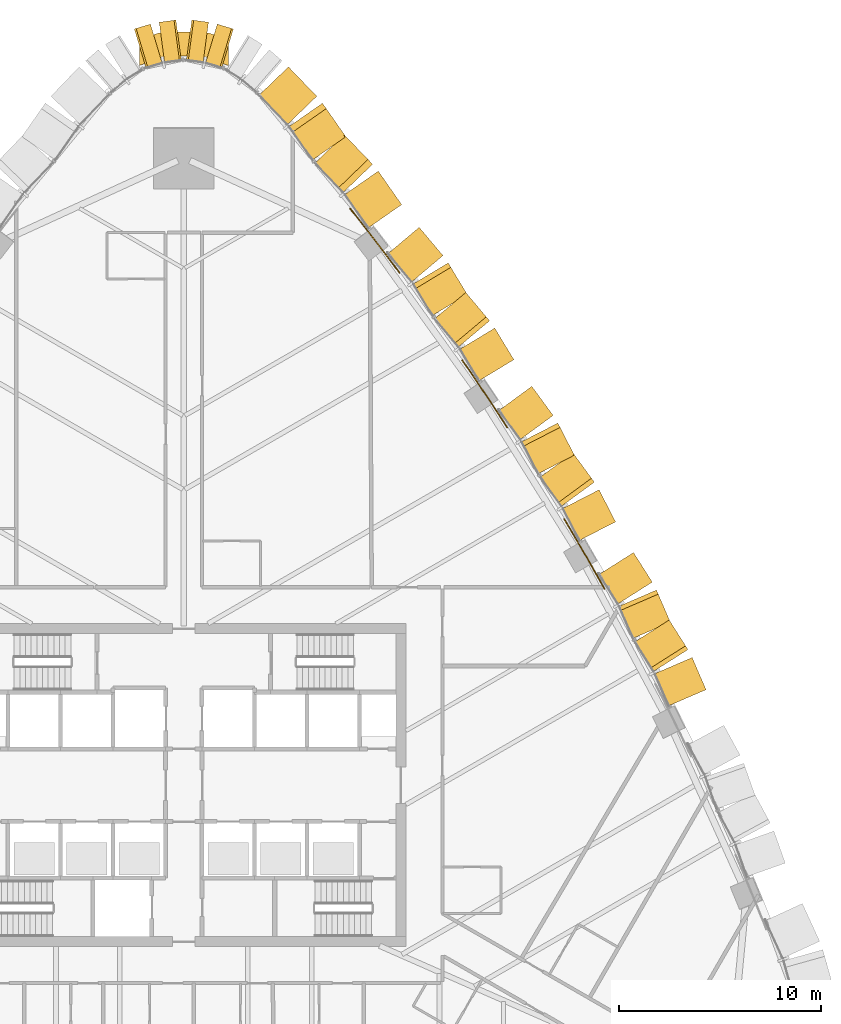
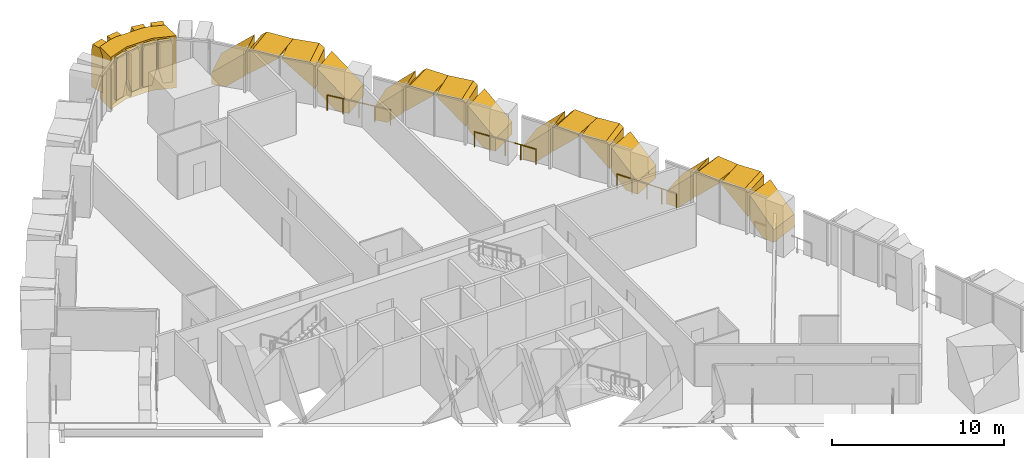
# One storey, part 23 of 24: 21 coverings, 3 railings.
"""IFC4 building model written with IfcOpenShell, lengths in metres."""

from ifc_helpers import new_model, si_unit, direction, frame, origin, origin_2d, place, context, subcontext, project, spatial, polyline, circle, outline, extrude, material, layer, layer_set, type_object, element, save


model = new_model("IFC4")

# Units and contexts
model_context = context("Model", 3, precision=1e-05, world=origin(), true_north=direction((0.0, 1.0)))
body_context = subcontext(model_context, "Body", "Model", "MODEL_VIEW")
ifc_project = project(units=[si_unit("LENGTHUNIT", "METRE"), si_unit("AREAUNIT", "SQUARE_METRE"), si_unit("VOLUMEUNIT", "CUBIC_METRE"), si_unit("PLANEANGLEUNIT", "RADIAN"), si_unit("MASSUNIT", "GRAM", prefix="KILO")], contexts=[model_context])

# Site, building, storey
site_placement = place(None, origin())
site = spatial("IfcSite", under=ifc_project, at=site_placement, CompositionType="ELEMENT")
building_placement = place(site_placement, origin())
building = spatial("IfcBuilding", under=site, at=building_placement, Name="Sierra Prisma Convention Tower", CompositionType="ELEMENT")
storey_placement = place(building_placement, frame((0.0, 0.0, 59.10009765625)))
storey = spatial("IfcBuildingStorey", under=building, at=storey_placement, Name="L10", CompositionType="ELEMENT", Elevation=59.10009765625)

# Coverings
ifc_material_1 = material(Name="Aluminium composite bronze anodised", Category="aluminium")
ifc_layer_1 = layer(ifc_material_1, 1.199951171875)
ifc_layer_set_1 = layer_set([ifc_layer_1], Name="Bronze corner pier")
covering_type_1 = type_object("IfcCoveringType", Name="Bronze corner pier", PredefinedType="CLADDING", material=ifc_layer_set_1)
covering_1_placement = place(storey_placement, frame((0.0, 0.0, -0.60009765625)))
element("IfcCovering", 1, at=covering_1_placement, inside=storey, type_object=covering_type_1, Name="Corner pier N L10.1", PredefinedType="CLADDING", context=body_context, shape_type="SweptSolid", body=[
    extrude(outline(polyline([(-0.864501953125, 37.3046875), (0.864501953125, 37.3046875), (1.264404296875, 37.236083984375), (2.199951171875, 36.9052734375), (2.199951171875, 35.632568359375), (0.864501953125, 36.1044921875), (-0.864501953125, 36.1044921875), (-2.199951171875, 35.632568359375), (-2.199951171875, 36.9052734375), (-1.264404296875, 37.236083984375), (-0.864501953125, 37.3046875)])), origin(), (0.0, 0.0, 1.0), 3.699951171875),
])
ifc_material_2 = material(Name="Aluminium 6063-T6 bronze anodised", Category="aluminium")
ifc_layer_2 = layer(ifc_material_2, 2.0)
ifc_layer_set_2 = layer_set([ifc_layer_2], Name="Bronze crystal chevron frame")
covering_type_2 = type_object("IfcCoveringType", Name="Bronze crystal chevron frame", PredefinedType="CLADDING", material=ifc_layer_set_2)
covering_2_placement = place(storey_placement, frame((25.857177734375, 4.726806640625, 0.0), z_axis=(0.917989113023, 0.396605582743, -1.0431043e-05), x_axis=(-0.396605582765, 0.917989113073, -3.57e-10)))
element("IfcCovering", 2, at=covering_2_placement, inside=storey, type_object=covering_type_2, Name="CW-2 chevron frame NE3.1.1", PredefinedType="CLADDING", context=body_context, shape_type="SweptSolid", body=[
    extrude(outline(polyline([(0.0, 0.0), (0.7909516103834568, 4.235164736271502e-22), (1.7353296140717749, 0.93896484442131), (1.7353296134668974, 2.6313476568292384), (-3.2372988349325384e-10, 0.9057617187007235), (0.0, 0.0)])), origin(), (0.0, 0.0, -1.0), 2.0),
])
covering_3_placement = place(storey_placement, frame((24.961669921875, 6.711669921875, 2.7607421875), z_axis=(0.844658493664, 0.535305544631, -5.4478365e-05), x_axis=(-4.6015614e-05, -2.9162571e-05, -0.999999998516)))
element("IfcCovering", 3, at=covering_3_placement, inside=storey, type_object=covering_type_2, Name="CW-2 chevron frame NE3.1.2", PredefinedType="CLADDING", context=body_context, shape_type="SweptSolid", body=[
    extrude(outline(polyline([(0.0, 0.0), (1.6923828099885951, 0.0), (-0.033203125601403954, 1.7353923837475977), (-0.2192382815753378, 1.7353923837475977), (-0.21923828715028, 0.22046557862860228), (0.0, 0.0)])), origin(), (0.0, 0.0, -1.0), 2.0),
])
covering_4_placement = place(storey_placement, frame((24.090576171875, 8.067626953125, 2.97998046875), z_axis=(0.917970432278, 0.39664881807, -2.4231075e-05), x_axis=(-2.224341e-05, -9.611227e-06, -0.999999999706)))
element("IfcCovering", 4, at=covering_4_placement, inside=storey, type_object=covering_type_2, Name="CW-2 chevron frame NE3.2.1", PredefinedType="CLADDING", context=body_context, shape_type="SweptSolid", body=[
    extrude(outline(polyline([(0.0, 0.0), (0.1860351561953852, 0.0), (1.9116210933175253, 1.735105498146229), (0.21923828131436235, 1.735105498146229), (-1.102903683170955e-09, 1.514871173180406), (0.0, 0.0)])), origin(), (0.0, 0.0, -1.0), 2.0),
])
covering_5_placement = place(storey_placement, frame((22.26611328125, 11.51806640625, 0.0), z_axis=(0.844626062388, 0.535356717082, -1.4507213e-05), x_axis=(1.225317e-05, 7.766534e-06, 0.999999999895)))
element("IfcCovering", 5, at=covering_5_placement, inside=storey, type_object=covering_type_2, Name="CW-2 chevron frame NE3.2.2", PredefinedType="CLADDING", context=body_context, shape_type="SweptSolid", body=[
    extrude(outline(polyline([(0.0, 0.0), (0.905761718654687, 7.672100181429332e-22), (2.631347656170718, 1.7351861723044162), (0.938964843848807, 1.7351861723044162), (-5.468034687208071e-10, 0.7908216441538272), (0.0, 0.0)])), origin(), (0.0, 0.0, -1.0), 2.0),
])
covering_6_placement = place(storey_placement, frame((21.37744140625, 13.037841796875, 0.0), z_axis=(0.889268368021, 0.457385798018, 3.7522266e-05), x_axis=(-0.45738579834, 0.889268368647, -4.493e-09)))
element("IfcCovering", 6, at=covering_6_placement, inside=storey, type_object=covering_type_2, Name="CW-2 chevron frame NE4.1.1", PredefinedType="CLADDING", context=body_context, shape_type="SweptSolid", body=[
    extrude(outline(polyline([(0.0, 0.0), (0.8029829636223448, -1.6940658945086007e-21), (1.7870057243275985, 0.9521484461992771), (1.7870057168257498, 2.6218261793988904), (-4.011443317163431e-09, 0.8928222649964886), (0.0, 0.0)])), origin(), (0.0, 0.0, -1.0), 2.0),
])
covering_7_placement = place(storey_placement, frame((20.326904296875, 15.004150390625, 2.747802734375), z_axis=(0.806753687222, 0.590887880941, 1.7623846e-05), x_axis=(1.4218103e-05, 1.0413717e-05, -0.999999999845)))
element("IfcCovering", 7, at=covering_7_placement, inside=storey, type_object=covering_type_2, Name="CW-2 chevron frame NE4.1.2", PredefinedType="CLADDING", context=body_context, shape_type="SweptSolid", body=[
    extrude(outline(polyline([(0.0, 0.0), (1.6699218747406612, -2.8289576949313546e-21), (-0.05908203131293895, 1.7869801292121683), (-0.23217773441105719, 1.7869801292121683), (-0.23217773498349834, 0.24000525706702053), (0.0, 0.0)])), origin(), (0.0, 0.0, -1.0), 2.0),
])
covering_8_placement = place(storey_placement, frame((19.33642578125, 16.34033203125, 2.97998046875), z_axis=(0.889262033526, 0.45739811269, -4.7289952e-05), x_axis=(-4.2053159e-05, -2.1630335e-05, -0.999999998882)))
element("IfcCovering", 8, at=covering_8_placement, inside=storey, type_object=covering_type_2, Name="CW-2 chevron frame NE4.2.1", PredefinedType="CLADDING", context=body_context, shape_type="SweptSolid", body=[
    extrude(outline(polyline([(0.0, 0.0), (0.1730957029314496, -5.864710543000966e-22), (1.902099607767358, 1.7870057289289976), (0.23217773463461414, 1.7870057289289976), (-4.121613196271127e-09, 1.5470047110794676), (0.0, 0.0)])), origin(), (0.0, 0.0, -1.0), 2.0),
])
covering_9_placement = place(storey_placement, frame((17.22998046875, 19.748291015625, 0.0), z_axis=(0.806755178908, 0.590885844494, -9.035139e-06), x_axis=(7.289145e-06, 5.338736e-06, 0.999999999959)))
element("IfcCovering", 9, at=covering_9_placement, inside=storey, type_object=covering_type_2, Name="CW-2 chevron frame NE4.2.2", PredefinedType="CLADDING", context=body_context, shape_type="SweptSolid", body=[
    extrude(outline(polyline([(0.0, 0.0), (0.8928222655885578, 0.0), (2.621826171845713, 1.7869801291961456), (0.9521484375388638, 1.7869801291961456), (-2.0918646730562704e-10, 0.8028351283274298), (0.0, 0.0)])), origin(), (0.0, 0.0, -1.0), 2.0),
])
covering_10_placement = place(storey_placement, frame((16.341552734375, 21.064453125, 0.0), z_axis=(0.856627930383, 0.51593467434, 2.6472885e-05), x_axis=(-0.515934674521, 0.856627930684, -2.185e-09)))
element("IfcCovering", 10, at=covering_10_placement, inside=storey, type_object=covering_type_2, Name="CW-2 chevron frame NE5.1.1", PredefinedType="CLADDING", context=body_context, shape_type="SweptSolid", body=[
    extrude(outline(polyline([(0.0, 0.0), (0.813070131119823, -1.6940658945086007e-21), (1.830297823067336, 0.9624023480859191), (1.8302978194579622, 2.6145019568820125), (-1.928164005164527e-09, 0.882568359065742), (0.0, 0.0)])), origin(), (0.0, 0.0, -1.0), 2.0),
])
covering_11_placement = place(storey_placement, frame((15.13916015625, 22.992919921875, 2.7373046875), z_axis=(0.765362595663, 0.643599322065, -9.8979811e-05), x_axis=(-7.5755445e-05, -6.370334e-05, -0.999999995101)))
element("IfcCovering", 11, at=covering_11_placement, inside=storey, type_object=covering_type_2, Name="CW-2 chevron frame NE5.1.2", PredefinedType="CLADDING", context=body_context, shape_type="SweptSolid", body=[
    extrude(outline(polyline([(0.0, 0.0), (1.6518554606583835, 2.238681609813514e-20), (-0.07983398636142848, 1.8303264989267118), (-0.24267578243874768, 1.8303264989267118), (-0.2426758002173423, 0.2562942076292787), (0.0, 0.0)])), origin(), (0.0, 0.0, -1.0), 2.0),
])
covering_12_placement = place(storey_placement, frame((14.033447265625, 24.292724609375, 2.97998046875), z_axis=(0.856528416757, 0.516099864659, -3.1401869e-05), x_axis=(-2.6896594e-05, -1.6206501e-05, -0.999999999507)))
element("IfcCovering", 12, at=covering_12_placement, inside=storey, type_object=covering_type_2, Name="CW-2 chevron frame NE5.2.1", PredefinedType="CLADDING", context=body_context, shape_type="SweptSolid", body=[
    extrude(outline(polyline([(0.0, 0.0), (0.1628417967947127, -2.7586473428643473e-22), (1.8945312493052198, 1.8302146836086008), (0.24267578136964854, 1.8302146836086008), (-1.789431972932555e-09, 1.5739292407795924), (0.0, 0.0)])), origin(), (0.0, 0.0, -1.0), 2.0),
])
covering_13_placement = place(storey_placement, frame((11.65283203125, 27.621826171875, 0.0), z_axis=(0.765255084937, 0.643727158632, -1.4797269e-05), x_axis=(1.1323685e-05, 9.525404e-06, 0.999999999891)))
element("IfcCovering", 13, at=covering_13_placement, inside=storey, type_object=covering_type_2, Name="CW-2 chevron frame NE5.2.2", PredefinedType="CLADDING", context=body_context, shape_type="SweptSolid", body=[
    extrude(outline(polyline([(0.0, 0.0), (0.8825683592783768, 7.475644785947988e-22), (2.6145019530494924, 1.8302967994769046), (0.9624023438553634, 1.8302967994769046), (-5.549888016864331e-10, 0.8131802343686211), (0.0, 0.0)])), origin(), (0.0, 0.0, -1.0), 2.0),
])
covering_14_placement = place(storey_placement, frame((10.78466796875, 28.745849609375, 0.0), z_axis=(0.820020384682, 0.572334315015, 2.3715388e-05), x_axis=(-0.572334315176, 0.820020384913, -1.589e-09)))
element("IfcCovering", 14, at=covering_14_placement, inside=storey, type_object=covering_type_2, Name="CW-2 chevron frame NE6.1.1", PredefinedType="CLADDING", context=body_context, shape_type="SweptSolid", body=[
    extrude(outline(polyline([(0.0, 0.0), (0.8591943705131577, 0.0), (2.0227606960789477, 1.001953128495622), (2.022760693562623, 2.585693362425259), (-1.3402041111265878e-09, 0.843505859137798), (0.0, 0.0)])), origin(), (0.0, 0.0, -1.0), 2.0),
])
covering_15_placement = place(storey_placement, frame((9.345458984375, 30.7470703125, 2.69775390625), z_axis=(0.720375736613, 0.693584023813, -3.183242e-06), x_axis=(-2.29313e-06, -2.207846e-06, -0.999999999995)))
element("IfcCovering", 15, at=covering_15_placement, inside=storey, type_object=covering_type_2, Name="CW-2 chevron frame NE6.1.2", PredefinedType="CLADDING", context=body_context, shape_type="SweptSolid", body=[
    extrude(outline(polyline([(0.0, 0.0), (1.583740234366976, -3.3537003960196816e-22), (-0.1586914062520558, 2.0229370499854524), (-0.2822265625014299, 2.0229370499854524), (-0.2822265625187298, 0.3277173006547409), (0.0, 0.0)])), origin(), (0.0, 0.0, -1.0), 2.0),
])
covering_16_placement = place(storey_placement, frame((8.021240234375, 32.1083984375, 2.97998046875), z_axis=(0.820015588551, 0.572341186663, -2.4133842e-05), x_axis=(-1.9790127e-05, -1.3812792e-05, -0.999999999709)))
element("IfcCovering", 16, at=covering_16_placement, inside=storey, type_object=covering_type_2, Name="CW-2 chevron frame NE6.2.1", PredefinedType="CLADDING", context=body_context, shape_type="SweptSolid", body=[
    extrude(outline(polyline([(0.0, 0.0), (0.12353515621402394, 0.0), (1.8659667964959716, 2.0227606977990003), (0.2822265625821903, 2.0227606977990003), (-9.943894516637462e-10, 1.6952276950758436), (0.0, 0.0)])), origin(), (0.0, 0.0, -1.0), 2.0),
])
covering_17_placement = place(storey_placement, frame((5.178955078125, 35.566650390625, 0.0), z_axis=(0.720320666476, 0.693641216614, -7.819075e-06), x_axis=(5.632242e-06, 5.423633e-06, 0.999999999969)))
element("IfcCovering", 17, at=covering_17_placement, inside=storey, type_object=covering_type_2, Name="CW-2 chevron frame NE6.2.2", PredefinedType="CLADDING", context=body_context, shape_type="SweptSolid", body=[
    extrude(outline(polyline([(0.0, 0.0), (0.8435058593492148, 0.0), (2.585693359357215, 2.0227611840003723), (1.0019531250306288, 2.0227611840003723), (-1.4839682908984094e-10, 0.8591775144971225), (0.0, 0.0)])), origin(), (0.0, 0.0, -1.0), 2.0),
])
covering_18_placement = place(storey_placement, frame((2.45166015625, 37.444091796875, 0.0), z_axis=(0.286975898468, 0.957937802625, -5.64833e-07), x_axis=(-0.957937802625, 0.286975898468, 3.1e-11)))
element("IfcCovering", 18, at=covering_18_placement, inside=storey, type_object=covering_type_2, Name="CW-2 chevron frame N2.1.1", PredefinedType="CLADDING", context=body_context, shape_type="SweptSolid", body=[
    extrude(outline(polyline([(0.0, 0.0), (0.5596829970109822, -1.3234889800848443e-23), (0.8328833358670706, 1.0551757812221612), (0.8328833359258778, 2.979980468721854), (0.09176049959779138, 2.9799804687668483), (8.021464355477326e-11, 2.6254882812495812), (0.0, 0.0)])), origin(), (0.0, 0.0, -1.0), 2.0),
])
covering_19_placement = place(storey_placement, frame((1.22021484375, 37.7763671875, 2.97998046875), z_axis=(0.133333210296, 0.991071265917, 3.0102977e-05), x_axis=(4.013727e-06, 2.9834196e-05, -0.999999999547)))
element("IfcCovering", 19, at=covering_19_placement, inside=storey, type_object=covering_type_2, Name="CW-2 chevron frame N2.1.2", PredefinedType="CLADDING", context=body_context, shape_type="SweptSolid", body=[
    extrude(outline(polyline([(0.0, 0.0), (1.9248046866278814, 0.0), (2.979980473236352, 0.27321728905107756), (2.9799804684128373, 0.8328805083728468), (0.35449218835243185, 0.8328805083728468), (1.3539939585782672e-09, 0.7412435035862439), (0.0, 0.0)])), origin(), (0.0, 0.0, -1.0), 2.0),
])
covering_20_placement = place(storey_placement, frame((-0.394775390625, 37.887451171875, 0.0), z_axis=(-0.133333210296, 0.991071265917, 3.0102977e-05), x_axis=(-0.991071266366, -0.133333210356, -8.619e-09)))
element("IfcCovering", 20, at=covering_20_placement, inside=storey, type_object=covering_type_2, Name="CW-2 chevron frame N3.1.1", PredefinedType="CLADDING", context=body_context, shape_type="SweptSolid", body=[
    extrude(outline(polyline([(0.0, 0.0), (0.5596632193217692, 0.0), (0.8328804992787061, 1.0551757889632218), (0.8328804826895799, 2.979980475591103), (0.0916369791033361, 2.979980467848626), (-2.2628039448624408e-08, 2.6254882800604054), (0.0, 0.0)])), origin(), (0.0, 0.0, -1.0), 2.0),
])
covering_21_placement = place(storey_placement, frame((-1.65380859375, 37.68310546875, 2.97998046875), z_axis=(-0.286975898468, 0.957937802625, -5.64833e-07), x_axis=(1.62093e-07, -5.41075e-07, -1.0)))
element("IfcCovering", 21, at=covering_21_placement, inside=storey, type_object=covering_type_2, Name="CW-2 chevron frame N3.1.2", PredefinedType="CLADDING", context=body_context, shape_type="SweptSolid", body=[
    extrude(outline(polyline([(0.0, 0.0), (1.924804687499693, 5.094915585443805e-23), (2.9799804687302007, 0.2732003388238504), (2.9799804687473004, 0.8328833358348326), (0.3544921874977195, 0.8328833358348326), (-2.2351539541870014e-11, 0.7411228363280866), (0.0, 0.0)])), origin(), (0.0, 0.0, -1.0), 2.0),
])

# Railings
ifc_material_3 = material(Name="Bronze anodised aluminium", Category="aluminium")
railing_type = type_object("IfcRailingType", Name="Facade guard 1100", PredefinedType="GUARDRAIL", material=ifc_material_3)
railing_1_placement = place(storey_placement, frame((20.830078125, 9.722412109375, 0.0)))
element("IfcRailing", 22, at=railing_1_placement, inside=storey, type_object=railing_type, Name="Facade guard", PredefinedType="GUARDRAIL", context=body_context, shape_type="SweptSolid", body=[
    extrude(circle(Radius=0.02392578125, at=origin_2d()), frame((0.0, 0.0, 1.076171875), z_axis=(-0.490762365416, 0.871293464162, 0.0), x_axis=(-0.871293464162, -0.490762365416, 0.0)), (0.0, 0.0, 1.0), 0.994384765625),
    extrude(circle(Radius=0.02392578125, at=origin_2d()), frame((-0.488037109375, 0.866455078125, 1.076171875), z_axis=(-0.496901332289, 0.867807044204, 0.0), x_axis=(-0.867807044204, -0.496901332289, 0.0)), (0.0, 0.0, 1.0), 0.999755859375),
    extrude(circle(Radius=0.02392578125, at=origin_2d()), frame((-0.98486328125, 1.734130859375, 1.076171875), z_axis=(-0.50326034748, 0.864134840551, 0.0), x_axis=(-0.864134840551, -0.50326034748, 0.0)), (0.0, 0.0, 1.0), 0.994384765625),
    extrude(circle(Radius=0.02392578125, at=origin_2d()), frame((-1.4853515625, 2.593505859375, 1.076171875), z_axis=(-0.508992475566, 0.860770968271, 0.0), x_axis=(-0.860770968271, -0.508992475566, 0.0)), (0.0, 0.0, 1.0), 1.0),
    extrude(circle(Radius=0.02099609375, at=origin_2d()), origin(), (0.0, 0.0, 1.0), 1.052001953125),
    extrude(circle(Radius=0.02099609375, at=origin_2d()), frame((-0.488037109375, 0.866455078125, 0.0)), (0.0, 0.0, 1.0), 1.052001953125),
    extrude(circle(Radius=0.02099609375, at=origin_2d()), frame((-0.98486328125, 1.734130859375, 0.0)), (0.0, 0.0, 1.0), 1.052001953125),
    extrude(circle(Radius=0.02099609375, at=origin_2d()), frame((-1.4853515625, 2.593505859375, 0.0)), (0.0, 0.0, 1.0), 1.052001953125),
    extrude(circle(Radius=0.02099609375, at=origin_2d()), frame((-1.994384765625, 3.454345703125, 0.0)), (0.0, 0.0, 1.0), 1.052001953125),
])
railing_2_placement = place(storey_placement, frame((16.00927734375, 17.717529296875, 0.0)))
element("IfcRailing", 23, at=railing_2_placement, inside=storey, type_object=railing_type, Name="Facade guard", PredefinedType="GUARDRAIL", context=body_context, shape_type="SweptSolid", body=[
    extrude(circle(Radius=0.02392578125, at=origin_2d()), frame((0.0, 0.0, 1.076171875), z_axis=(-0.544205075992, 0.838952224662, 0.0), x_axis=(-0.838952224662, -0.544205075992, 0.0)), (0.0, 0.0, 1.0), 0.997314453125),
    extrude(circle(Radius=0.02392578125, at=origin_2d()), frame((-0.542724609375, 0.836669921875, 1.076171875), z_axis=(-0.555998978796, 0.831182973585, 0.0), x_axis=(-0.831182973585, -0.555998978796, 0.0)), (0.0, 0.0, 1.0), 0.997314453125),
    extrude(circle(Radius=0.02392578125, at=origin_2d()), frame((-1.09716796875, 1.66552734375, 1.076171875), z_axis=(-0.556169381701, 0.831068961554, 0.0), x_axis=(-0.831068961554, -0.556169381701, 0.0)), (0.0, 0.0, 1.0), 0.996337890625),
    extrude(circle(Radius=0.02392578125, at=origin_2d()), frame((-1.6513671875, 2.49365234375, 1.076171875), z_axis=(-0.567504285925, 0.823370442424, 0.0), x_axis=(-0.823370442424, -0.567504285925, 0.0)), (0.0, 0.0, 1.0), 0.998046875),
    extrude(circle(Radius=0.02099609375, at=origin_2d()), origin(), (0.0, 0.0, 1.0), 1.052001953125),
    extrude(circle(Radius=0.02099609375, at=origin_2d()), frame((-0.542724609375, 0.836669921875, 0.0)), (0.0, 0.0, 1.0), 1.052001953125),
    extrude(circle(Radius=0.02099609375, at=origin_2d()), frame((-1.09716796875, 1.66552734375, 0.0)), (0.0, 0.0, 1.0), 1.052001953125),
    extrude(circle(Radius=0.02099609375, at=origin_2d()), frame((-1.6513671875, 2.49365234375, 0.0)), (0.0, 0.0, 1.0), 1.052001953125),
    extrude(circle(Radius=0.02099609375, at=origin_2d()), frame((-2.2177734375, 3.3154296875, 0.0)), (0.0, 0.0, 1.0), 1.052001953125),
])
railing_3_placement = place(storey_placement, frame((10.67333984375, 25.378662109375, 0.0)))
element("IfcRailing", 24, at=railing_3_placement, inside=storey, type_object=railing_type, Name="Facade guard", PredefinedType="GUARDRAIL", context=body_context, shape_type="SweptSolid", body=[
    extrude(circle(Radius=0.02392578125, at=origin_2d()), frame((0.0, 0.0, 1.076171875), z_axis=(-0.601288219051, 0.799032213137, 0.0), x_axis=(-0.799032213137, -0.601288219051, 0.0)), (0.0, 0.0, 1.0), 1.0),
    extrude(circle(Radius=0.02392578125, at=origin_2d()), frame((-0.601318359375, 0.799072265625, 1.076171875), z_axis=(-0.606656987656, 0.794963709441, 0.0), x_axis=(-0.794963709441, -0.606656987656, 0.0)), (0.0, 0.0, 1.0), 0.994384765625),
    extrude(circle(Radius=0.02392578125, at=origin_2d()), frame((-1.20458984375, 1.589599609375, 1.076171875), z_axis=(-0.612350458871, 0.790586437729, 0.0), x_axis=(-0.790586437729, -0.612350458871, 0.0)), (0.0, 0.0, 1.0), 1.0),
    extrude(circle(Radius=0.02392578125, at=origin_2d()), frame((-1.81689453125, 2.380126953125, 1.076171875), z_axis=(-0.618146755511, 0.786062712925, 0.0), x_axis=(-0.786062712925, -0.618146755511, 0.0)), (0.0, 0.0, 1.0), 0.994384765625),
    extrude(circle(Radius=0.02099609375, at=origin_2d()), origin(), (0.0, 0.0, 1.0), 1.052001953125),
    extrude(circle(Radius=0.02099609375, at=origin_2d()), frame((-0.601318359375, 0.799072265625, 0.0)), (0.0, 0.0, 1.0), 1.052001953125),
    extrude(circle(Radius=0.02099609375, at=origin_2d()), frame((-1.20458984375, 1.589599609375, 0.0)), (0.0, 0.0, 1.0), 1.052001953125),
    extrude(circle(Radius=0.02099609375, at=origin_2d()), frame((-1.81689453125, 2.380126953125, 0.0)), (0.0, 0.0, 1.0), 1.052001953125),
    extrude(circle(Radius=0.02099609375, at=origin_2d()), frame((-2.431640625, 3.161865234375, 0.0)), (0.0, 0.0, 1.0), 1.052001953125),
])

save(model, "model.ifc")
